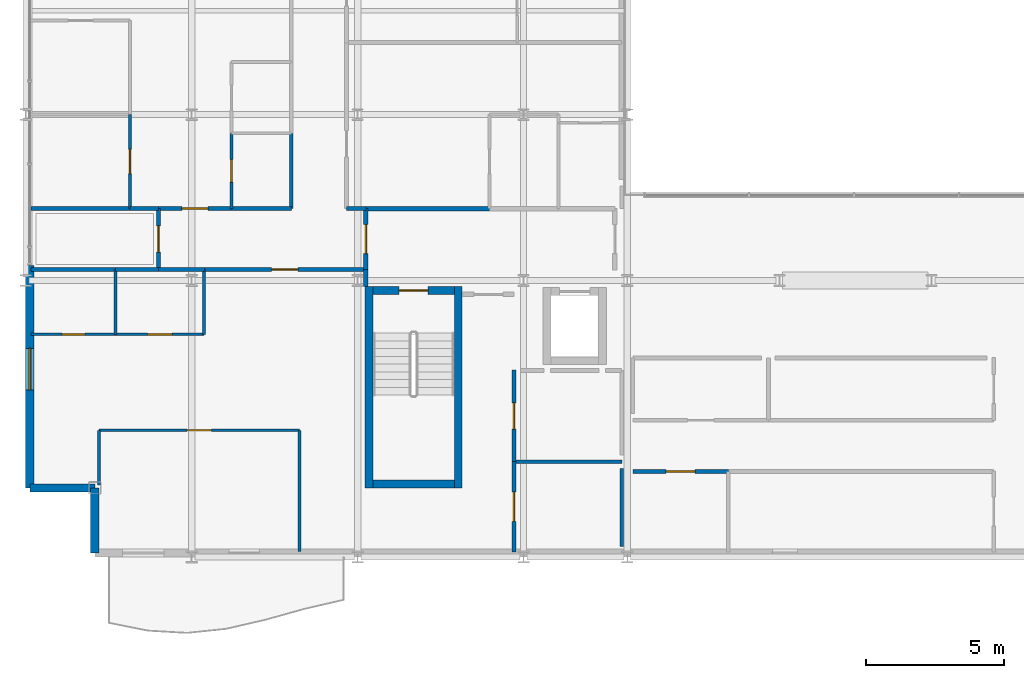
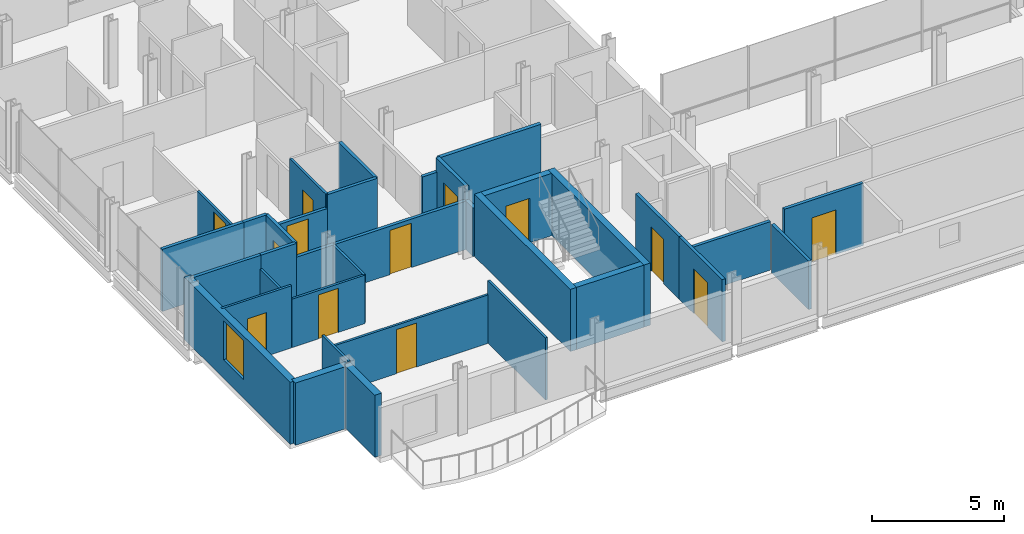
# One storey, part 31 of 40: 35 walls, 13 doors, 1 window, 14 openings.
"""IFC4 building model written with IfcOpenShell, lengths in metres."""

from ifc_helpers import new_model, si_unit, direction, frame, frame_2d, origin, place, context, subcontext, project, spatial, rectangle, extrude, material, layer, layer_set, type_object, element, fill, save


model = new_model("IFC4")

# Units and contexts
model_context = context("Model", 3, precision=1e-05, world=origin(), true_north=direction((0.0, 1.0)))
body_context = subcontext(model_context, "Body", "Model", "MODEL_VIEW")
ifc_project = project(units=[si_unit("LENGTHUNIT", "METRE"), si_unit("AREAUNIT", "SQUARE_METRE"), si_unit("VOLUMEUNIT", "CUBIC_METRE"), si_unit("PLANEANGLEUNIT", "RADIAN"), si_unit("MASSUNIT", "GRAM", prefix="KILO")], contexts=[model_context])

# Site, building, storey
site_placement = place(None, origin())
site = spatial("IfcSite", under=ifc_project, at=site_placement, CompositionType="ELEMENT")
building_placement = place(site_placement, origin())
building = spatial("IfcBuilding", under=site, at=building_placement, Name="Brevholm Reach", CompositionType="ELEMENT")
storey_placement = place(building_placement, frame((0.0, 0.0, 119.0)))
storey = spatial("IfcBuildingStorey", under=building, at=storey_placement, Name="L35", CompositionType="ELEMENT", Elevation=119.0)

# Walls
ifc_material_1 = material(Name="Concrete C50/60", Category="concrete")
ifc_layer_1 = layer(ifc_material_1, 0.280029296875)
ifc_layer_set_1 = layer_set([ifc_layer_1], Name="Concrete C50/60")
wall_type_1 = type_object("IfcWallType", Name="WAL-COR-280", PredefinedType="SHEAR", material=ifc_layer_set_1)
for number, where, z_axis, x_axis, name in (
    (1, (12.409912109375, 2.5, 0.0), (0.0, 0.0, 1.0), (0.0, 1.0, 0.0), "L35 Escape Stair ST-1 Core Wall W"),
    (2, (15.639892578125, 2.5, 0.0), (0.0, 0.0, 1.0), (0.0, 1.0, 0.0), "L35 Escape Stair ST-1 Core Wall E"),
):
    element("IfcWall", number, at=place(storey_placement, frame(where, z_axis=z_axis, x_axis=x_axis)), inside=storey, type_object=wall_type_1, Name=name, PredefinedType="SHEAR", context=body_context, shape_type="SweptSolid", body=[
        extrude(rectangle(XDim=7.280029296875, YDim=0.280029296875, at=frame_2d((3.64013671875, 0.0))), origin(), (0.0, 0.0, 1.0), 2.8798828125),
    ])
wall_1_placement = place(storey_placement, frame((12.550048828125, 2.639892578125, 0.0), z_axis=(0.0, 0.0, 1.0), x_axis=(1.0, 0.0, 0.0)))
element("IfcWall", 3, at=wall_1_placement, inside=storey, type_object=wall_type_1, Name="L35 Escape Stair ST-1 Core Wall S", PredefinedType="SHEAR", context=body_context, shape_type="SweptSolid", body=[
    extrude(rectangle(XDim=2.949951171875, YDim=0.280029296875, at=frame_2d((1.47509765625, 0.0))), origin(), (0.0, 0.0, 1.0), 2.8798828125),
])

# Wall, opening, door
wall_2_placement = place(storey_placement, frame((15.5, 9.639892578125, 0.0), z_axis=(0.0, 0.0, 1.0), x_axis=(-1.0, 0.0, 0.0)))
wall_2 = element("IfcWall", 4, at=wall_2_placement, inside=storey, type_object=wall_type_1, Name="L35 Escape Stair ST-1 Core Wall N", PredefinedType="SHEAR", context=body_context, shape_type="SweptSolid", body=[
    extrude(rectangle(XDim=2.949951171875, YDim=0.280029296875, at=frame_2d((1.47509765625, 0.0))), origin(), (0.0, 0.0, 1.0), 2.8798828125),
])
opening_1_placement = place(wall_2_placement, frame((0.949951171875, 0.0, 0.0)))
opening_1 = element("IfcOpeningElement", 5, at=opening_1_placement, cuts=wall_2, Name="Opening SD-ST-1", PredefinedType="OPENING", context=body_context, shape_type="SweptSolid", body=[
    extrude(rectangle(XDim=1.050048828125, YDim=2.06005859375, at=frame_2d((0.52490234375, 1.030029296875))), frame((0.0, 0.14990234375, 0.0), z_axis=(0.0, -1.0, 0.0), x_axis=(1.0, 0.0, 0.0)), (0.0, 0.0, 1.0), 0.300048828125),
])
ifc_material_2 = material(Name="Hardwood-Lipped Steel-Core Fire and Smoke Door", Category="steel")
door_type_1 = type_object("IfcDoorType", Name="DOR-INT-FD60S", OperationType="NOTDEFINED", PredefinedType="DOOR", material=ifc_material_2)
door_1_placement = place(opening_1_placement, origin())
door_1 = element("IfcDoor", 6, at=door_1_placement, inside=storey, type_object=door_type_1, Name="L35 Protected Stair ST-1 Lobby Door", OperationType="SINGLE_SWING_LEFT", OverallHeight=2.06005859375, OverallWidth=1.050048828125, PredefinedType="DOOR", context=body_context, shape_type="SweptSolid", body=[
    extrude(rectangle(XDim=1.050048828125, YDim=2.06005859375, at=frame_2d((0.52490234375, 1.030029296875))), frame((0.0, 0.02490234375, 0.0), z_axis=(0.0, -1.0, 0.0), x_axis=(1.0, 0.0, 0.0)), (0.0, 0.0, 1.0), 0.050048828125),
])
fill(opening_1, door_1)

# Walls
ifc_material_3 = material(Name="Concrete C40/50", Category="concrete")
ifc_layer_2 = layer(ifc_material_3, 0.300048828125)
ifc_layer_set_2 = layer_set([ifc_layer_2], Name="Concrete C40/50")
wall_type_2 = type_object("IfcWallType", Name="WAL-EXT-300", PredefinedType="STANDARD", material=ifc_layer_set_2)
for number, where, z_axis, x_axis, name in (
    (7, (2.5, 2.5, 0.0), (0.0, 0.0, 1.0), (0.0, -1.0, 0.0), "L35 Facade Wall WAL-L35-CSW1"),
    (8, (0.14990234375, 2.5, 0.0), (0.0, 0.0, 1.0), (1.0, 0.0, 0.0), "L35 Facade Wall WAL-L35-CSW2"),
):
    element("IfcWall", number, at=place(storey_placement, frame(where, z_axis=z_axis, x_axis=x_axis)), inside=storey, type_object=wall_type_2, Name=name, PredefinedType="STANDARD", context=body_context, shape_type="SweptSolid", body=[
        extrude(rectangle(XDim=2.35009765625, YDim=0.300048828125, at=frame_2d((1.175048828125, 0.0))), origin(), (0.0, 0.0, 1.0), 2.8798828125),
    ])

# Wall, opening, window
wall_3_placement = place(storey_placement, frame((0.14990234375, 10.550048828125, 0.0), z_axis=(0.0, 0.0, 1.0), x_axis=(0.0, -1.0, 0.0)))
wall_3 = element("IfcWall", 9, at=wall_3_placement, inside=storey, type_object=wall_type_2, Name="L35 Facade Wall WAL-L35-W-S", PredefinedType="STANDARD", context=body_context, shape_type="SweptSolid", body=[
    extrude(rectangle(XDim=8.050048828125, YDim=0.300048828125, at=frame_2d((4.02490234375, 0.0))), origin(), (0.0, 0.0, 1.0), 2.8798828125),
])
opening_2_placement = place(wall_3_placement, frame((3.0, 0.0, 0.860107421875)))
opening_2 = element("IfcOpeningElement", 10, at=opening_2_placement, cuts=wall_3, Name="Opening WN-05", PredefinedType="OPENING", context=body_context, shape_type="SweptSolid", body=[
    extrude(rectangle(XDim=1.5, YDim=1.800048828125, at=frame_2d((0.75, 0.89990234375))), frame((0.0, 0.159912109375, 0.0), z_axis=(0.0, -1.0, 0.0), x_axis=(1.0, 0.0, 0.0)), (0.0, 0.0, 1.0), 0.320068359375),
])
ifc_material_4 = material(Name="Dark Anodised Aluminium and Solar-Control IGU Glass", Category="aluminium")
window_type = type_object("IfcWindowType", Name="WIN-RES-1500", PartitioningType="SINGLE_PANEL", PredefinedType="WINDOW", material=ifc_material_4)
window_placement = place(opening_2_placement, origin())
window = element("IfcWindow", 11, at=window_placement, inside=storey, type_object=window_type, Name="L35 Window WIN-L35-WS-1", OverallHeight=1.800048828125, OverallWidth=1.5, PartitioningType="SINGLE_PANEL", PredefinedType="WINDOW", context=body_context, shape_type="SweptSolid", body=[
    extrude(rectangle(XDim=1.5, YDim=1.800048828125, at=frame_2d((0.75, 0.89990234375))), frame((0.0, 0.030029296875, 0.0), z_axis=(0.0, -1.0, 0.0), x_axis=(1.0, 0.0, 0.0)), (0.0, 0.0, 1.0), 0.06005859375),
])
fill(opening_2, window)

# Wall
ifc_material_5 = material(Name="Moisture-Resistant Acoustic Gypsum Stud Partition 100 mm", Category="gypsum")
ifc_layer_3 = layer(ifc_material_5, 0.10009765625)
ifc_layer_set_3 = layer_set([ifc_layer_3], Name="Moisture-Resistant Acoustic Gypsum Stud Partition 100 mm")
wall_type_3 = type_object("IfcWallType", Name="WAL-PRT-100", PredefinedType="PARTITIONING", material=ifc_layer_set_3)
wall_4_placement = place(storey_placement, frame((3.25, 8.053955078125, 0.0), z_axis=(0.0, 0.0, 1.0), x_axis=(0.0, 1.0, 0.0)))
element("IfcWall", 12, at=wall_4_placement, inside=storey, type_object=wall_type_3, Name="L35 Internal Partition 065", PredefinedType="PARTITIONING", context=body_context, shape_type="SweptSolid", body=[
    extrude(rectangle(XDim=2.345947265625, YDim=0.10009765625, at=frame_2d((1.1728515625, 0.0))), origin(), (0.0, 0.0, 1.0), 2.242919921875),
])

# Wall, opening, door
wall_5_placement = place(storey_placement, frame((0.199951171875, 8.053955078125, 0.0), z_axis=(0.0, 0.0, 1.0), x_axis=(1.0, 0.0, 0.0)))
wall_5 = element("IfcWall", 13, at=wall_5_placement, inside=storey, type_object=wall_type_3, Name="L35 Internal Partition 066", PredefinedType="PARTITIONING", context=body_context, shape_type="SweptSolid", body=[
    extrude(rectangle(XDim=3.050048828125, YDim=0.10009765625, at=frame_2d((1.52490234375, 0.0))), origin(), (0.0, 0.0, 1.0), 2.8798828125),
])
opening_3_placement = place(wall_5_placement, frame((1.114990234375, 0.0, 0.0)))
opening_3 = element("IfcOpeningElement", 14, at=opening_3_placement, cuts=wall_5, Name="Opening ID-03", PredefinedType="OPENING", context=body_context, shape_type="SweptSolid", body=[
    extrude(rectangle(XDim=0.820068359375, YDim=2.02001953125, at=frame_2d((0.41015625, 1.010009765625))), frame((0.0, 0.06005859375, 0.0), z_axis=(0.0, -1.0, 0.0), x_axis=(1.0, 0.0, 0.0)), (0.0, 0.0, 1.0), 0.1201171875),
])
ifc_material_6 = material(Name="Moisture-Resistant Painted Timber Internal Bathroom Door", Category="wood")
door_type_2 = type_object("IfcDoorType", Name="DOR-BATH-820", OperationType="NOTDEFINED", PredefinedType="DOOR", material=ifc_material_6)
door_2_placement = place(opening_3_placement, origin())
door_2 = element("IfcDoor", 15, at=door_2_placement, inside=storey, type_object=door_type_2, Name="L35 Internal Door 026", OperationType="SINGLE_SWING_RIGHT", OverallHeight=2.02001953125, OverallWidth=0.820068359375, PredefinedType="DOOR", context=body_context, shape_type="SweptSolid", body=[
    extrude(rectangle(XDim=0.820068359375, YDim=2.02001953125, at=frame_2d((0.41015625, 1.010009765625))), frame((0.0, 0.02490234375, 0.0), z_axis=(0.0, -1.0, 0.0), x_axis=(1.0, 0.0, 0.0)), (0.0, 0.0, 1.0), 0.050048828125),
])
fill(opening_3, door_2)

wall_6_placement = place(storey_placement, frame((3.25390625, 8.053955078125, 0.0), z_axis=(0.0, 0.0, 1.0), x_axis=(1.0, 0.0, 0.0)))
wall_6 = element("IfcWall", 16, at=wall_6_placement, inside=storey, type_object=wall_type_3, Name="L35 Internal Partition 068", PredefinedType="PARTITIONING", context=body_context, shape_type="SweptSolid", body=[
    extrude(rectangle(XDim=3.196044921875, YDim=0.10009765625, at=frame_2d((1.59814453125, 0.0))), origin(), (0.0, 0.0, 1.0), 2.242919921875),
])
opening_4_placement = place(wall_6_placement, frame((1.157958984375, 0.0, 0.0)))
opening_4 = element("IfcOpeningElement", 17, at=opening_4_placement, cuts=wall_6, Name="Opening ID-01", PredefinedType="OPENING", context=body_context, shape_type="SweptSolid", body=[
    extrude(rectangle(XDim=0.8798828125, YDim=2.0400390625, at=frame_2d((0.43994140625, 1.02001953125))), frame((0.0, 0.06005859375, 0.0), z_axis=(0.0, -1.0, 0.0), x_axis=(1.0, 0.0, 0.0)), (0.0, 0.0, 1.0), 0.1201171875),
])
ifc_material_7 = material(Name="Lacquered Ash Solid-Core Acoustic Internal Door", Category="timber")
door_type_3 = type_object("IfcDoorType", Name="DOR-INT-880", OperationType="NOTDEFINED", PredefinedType="DOOR", material=ifc_material_7)
door_3_placement = place(opening_4_placement, origin())
door_3 = element("IfcDoor", 18, at=door_3_placement, inside=storey, type_object=door_type_3, Name="L35 Internal Door 027", OperationType="SINGLE_SWING_LEFT", OverallHeight=2.0400390625, OverallWidth=0.8798828125, PredefinedType="DOOR", context=body_context, shape_type="SweptSolid", body=[
    extrude(rectangle(XDim=0.8798828125, YDim=2.0400390625, at=frame_2d((0.43994140625, 1.02001953125))), frame((0.0, 0.02490234375, 0.0), z_axis=(0.0, -1.0, 0.0), x_axis=(1.0, 0.0, 0.0)), (0.0, 0.0, 1.0), 0.050048828125),
])
fill(opening_4, door_3)

# Walls
wall_7_placement = place(storey_placement, frame((6.449951171875, 8.053955078125, 0.0), z_axis=(0.0, 0.0, 1.0), x_axis=(0.0, 1.0, 0.0)))
element("IfcWall", 19, at=wall_7_placement, inside=storey, type_object=wall_type_3, Name="L35 Internal Partition 069", PredefinedType="PARTITIONING", context=body_context, shape_type="SweptSolid", body=[
    extrude(rectangle(XDim=2.342041015625, YDim=0.10009765625, at=frame_2d((1.1708984375, 0.0))), origin(), (0.0, 0.0, 1.0), 2.242919921875),
])
wall_8_placement = place(storey_placement, frame((2.64990234375, 2.599365234375, 0.0), z_axis=(0.0, 0.0, 1.0), x_axis=(0.0, 1.0, 0.0)))
element("IfcWall", 20, at=wall_8_placement, inside=storey, type_object=wall_type_3, Name="L35 Internal Partition 071", PredefinedType="PARTITIONING", context=body_context, shape_type="SweptSolid", body=[
    extrude(rectangle(XDim=1.986572265625, YDim=0.10009765625, at=frame_2d((0.9931640625, 0.0))), origin(), (0.0, 0.0, 1.0), 2.8798828125),
])
wall_9_placement = place(storey_placement, frame((9.89990234375, 0.199951171875, 0.0), z_axis=(0.0, 0.0, 1.0), x_axis=(0.0, 1.0, 0.0)))
element("IfcWall", 21, at=wall_9_placement, inside=storey, type_object=wall_type_3, Name="L35 Internal Partition 072", PredefinedType="PARTITIONING", context=body_context, shape_type="SweptSolid", body=[
    extrude(rectangle(XDim=4.385986328125, YDim=0.10009765625, at=frame_2d((2.19287109375, 0.0))), origin(), (0.0, 0.0, 1.0), 2.8798828125),
])

# Wall, opening, door
wall_10_placement = place(storey_placement, frame((2.64990234375, 4.5859375, 0.0), z_axis=(0.0, 0.0, 1.0), x_axis=(1.0, 0.0, 0.0)))
wall_10 = element("IfcWall", 22, at=wall_10_placement, inside=storey, type_object=wall_type_3, Name="L35 Internal Partition 073", PredefinedType="PARTITIONING", context=body_context, shape_type="SweptSolid", body=[
    extrude(rectangle(XDim=7.25, YDim=0.10009765625, at=frame_2d((3.625, 0.0))), origin(), (0.0, 0.0, 1.0), 2.242919921875),
])
opening_5_placement = place(wall_10_placement, frame((3.18505859375, 0.0, 0.0)))
opening_5 = element("IfcOpeningElement", 23, at=opening_5_placement, cuts=wall_10, Name="Opening ID-01", PredefinedType="OPENING", context=body_context, shape_type="SweptSolid", body=[
    extrude(rectangle(XDim=0.8798828125, YDim=2.0400390625, at=frame_2d((0.43994140625, 1.02001953125))), frame((0.0, 0.06005859375, 0.0), z_axis=(0.0, -1.0, 0.0), x_axis=(1.0, 0.0, 0.0)), (0.0, 0.0, 1.0), 0.1201171875),
])
door_4_placement = place(opening_5_placement, origin())
door_4 = element("IfcDoor", 24, at=door_4_placement, inside=storey, type_object=door_type_3, Name="L35 Internal Door 028", OperationType="SINGLE_SWING_RIGHT", OverallHeight=2.0400390625, OverallWidth=0.8798828125, PredefinedType="DOOR", context=body_context, shape_type="SweptSolid", body=[
    extrude(rectangle(XDim=0.8798828125, YDim=2.0400390625, at=frame_2d((0.43994140625, 1.02001953125))), frame((0.0, 0.02490234375, 0.0), z_axis=(0.0, -1.0, 0.0), x_axis=(1.0, 0.0, 0.0)), (0.0, 0.0, 1.0), 0.050048828125),
])
fill(opening_5, door_4)

wall_11_placement = place(storey_placement, frame((7.43798828125, 12.60400390625, 0.0), z_axis=(0.0, 0.0, 1.0), x_axis=(0.0, 1.0, 0.0)))
wall_11 = element("IfcWall", 25, at=wall_11_placement, inside=storey, type_object=wall_type_3, Name="L35 Internal Partition 089", PredefinedType="PARTITIONING", context=body_context, shape_type="SweptSolid", body=[
    extrude(rectangle(XDim=2.719970703125, YDim=0.10009765625, at=frame_2d((1.35986328125, 0.0))), origin(), (0.0, 0.0, 1.0), 2.8798828125),
])
opening_6_placement = place(wall_11_placement, frame((0.949951171875, 0.0, 0.0)))
opening_6 = element("IfcOpeningElement", 26, at=opening_6_placement, cuts=wall_11, Name="Opening ID-03", PredefinedType="OPENING", context=body_context, shape_type="SweptSolid", body=[
    extrude(rectangle(XDim=0.820068359375, YDim=2.02001953125, at=frame_2d((0.41015625, 1.010009765625))), frame((0.0, 0.06005859375, 0.0), z_axis=(0.0, -1.0, 0.0), x_axis=(1.0, 0.0, 0.0)), (0.0, 0.0, 1.0), 0.1201171875),
])
door_5_placement = place(opening_6_placement, origin())
door_5 = element("IfcDoor", 27, at=door_5_placement, inside=storey, type_object=door_type_2, Name="L35 Internal Door 033", OperationType="SINGLE_SWING_LEFT", OverallHeight=2.02001953125, OverallWidth=0.820068359375, PredefinedType="DOOR", context=body_context, shape_type="SweptSolid", body=[
    extrude(rectangle(XDim=0.820068359375, YDim=2.02001953125, at=frame_2d((0.41015625, 1.010009765625))), frame((0.0, 0.02490234375, 0.0), z_axis=(0.0, -1.0, 0.0), x_axis=(1.0, 0.0, 0.0)), (0.0, 0.0, 1.0), 0.050048828125),
])
fill(opening_6, door_5)

wall_12_placement = place(storey_placement, frame((3.77197265625, 12.60400390625, 0.0), z_axis=(0.0, 0.0, 1.0), x_axis=(0.0, 1.0, 0.0)))
wall_12 = element("IfcWall", 28, at=wall_12_placement, inside=storey, type_object=wall_type_3, Name="L35 Internal Partition 093", PredefinedType="PARTITIONING", context=body_context, shape_type="SweptSolid", body=[
    extrude(rectangle(XDim=3.39599609375, YDim=0.10009765625, at=frame_2d((1.697998046875, 0.0))), origin(), (0.0, 0.0, 1.0), 2.242919921875),
])
opening_7_placement = place(wall_12_placement, frame((1.258056640625, 0.0, 0.0)))
opening_7 = element("IfcOpeningElement", 29, at=opening_7_placement, cuts=wall_12, Name="Opening ID-01", PredefinedType="OPENING", context=body_context, shape_type="SweptSolid", body=[
    extrude(rectangle(XDim=0.8798828125, YDim=2.0400390625, at=frame_2d((0.43994140625, 1.02001953125))), frame((0.0, 0.06005859375, 0.0), z_axis=(0.0, -1.0, 0.0), x_axis=(1.0, 0.0, 0.0)), (0.0, 0.0, 1.0), 0.1201171875),
])
door_6_placement = place(opening_7_placement, origin())
door_6 = element("IfcDoor", 30, at=door_6_placement, inside=storey, type_object=door_type_3, Name="L35 Internal Door 035", OperationType="SINGLE_SWING_LEFT", OverallHeight=2.0400390625, OverallWidth=0.8798828125, PredefinedType="DOOR", context=body_context, shape_type="SweptSolid", body=[
    extrude(rectangle(XDim=0.8798828125, YDim=2.0400390625, at=frame_2d((0.43994140625, 1.02001953125))), frame((0.0, 0.02490234375, 0.0), z_axis=(0.0, -1.0, 0.0), x_axis=(1.0, 0.0, 0.0)), (0.0, 0.0, 1.0), 0.050048828125),
])
fill(opening_7, door_6)

ifc_material_8 = material(Name="Twin-Stud Acoustic Fire-Rated Gypsum Partition 140 mm", Category="gypsum")
ifc_layer_4 = layer(ifc_material_8, 0.139892578125)
ifc_layer_set_4 = layer_set([ifc_layer_4], Name="Twin-Stud Acoustic Fire-Rated Gypsum Partition 140 mm")
wall_type_4 = type_object("IfcWallType", Name="WAL-PRT-140", PredefinedType="PARTITIONING", material=ifc_layer_set_4)
wall_13_placement = place(storey_placement, frame((21.949951171875, 3.10009765625, 0.0), z_axis=(0.0, 0.0, 1.0), x_axis=(1.0, 0.0, 0.0)))
wall_13 = element("IfcWall", 31, at=wall_13_placement, inside=storey, type_object=wall_type_4, Name="L35 Internal Partition 003", PredefinedType="PARTITIONING", context=body_context, shape_type="SweptSolid", body=[
    extrude(rectangle(XDim=3.46142578125, YDim=0.139892578125, at=frame_2d((1.730712890625, 0.0))), origin(), (0.0, 0.0, 1.0), 2.8798828125),
])
opening_8_placement = place(wall_13_placement, frame((1.205810546875, 0.0, 0.0)))
opening_8 = element("IfcOpeningElement", 32, at=opening_8_placement, cuts=wall_13, Name="Opening FD-01", PredefinedType="OPENING", context=body_context, shape_type="SweptSolid", body=[
    extrude(rectangle(XDim=1.050048828125, YDim=2.06005859375, at=frame_2d((0.52490234375, 1.030029296875))), frame((0.0, 0.079833984375, 0.0), z_axis=(0.0, -1.0, 0.0), x_axis=(1.0, 0.0, 0.0)), (0.0, 0.0, 1.0), 0.159912109375),
])
door_7_placement = place(opening_8_placement, origin())
door_7 = element("IfcDoor", 33, at=door_7_placement, inside=storey, type_object=door_type_1, Name="L35 Internal Door 003", OperationType="SINGLE_SWING_LEFT", OverallHeight=2.06005859375, OverallWidth=1.050048828125, PredefinedType="DOOR", context=body_context, shape_type="SweptSolid", body=[
    extrude(rectangle(XDim=1.050048828125, YDim=2.06005859375, at=frame_2d((0.52490234375, 1.030029296875))), frame((0.0, 0.02490234375, 0.0), z_axis=(0.0, -1.0, 0.0), x_axis=(1.0, 0.0, 0.0)), (0.0, 0.0, 1.0), 0.050048828125),
])
fill(opening_8, door_7)

wall_14_placement = place(storey_placement, frame((17.64990234375, 0.179931640625, 0.0), z_axis=(0.0, 0.0, 1.0), x_axis=(0.0, 1.0, 0.0)))
wall_14 = element("IfcWall", 34, at=wall_14_placement, inside=storey, type_object=wall_type_4, Name="L35 Internal Partition 009", PredefinedType="PARTITIONING", context=body_context, shape_type="SweptSolid", body=[
    extrude(rectangle(XDim=3.28125, YDim=0.139892578125, at=frame_2d((1.640625, 0.0))), origin(), (0.0, 0.0, 1.0), 2.8798828125),
])
opening_9_placement = place(wall_14_placement, frame((1.11572265625, 0.0, 0.0)))
opening_9 = element("IfcOpeningElement", 35, at=opening_9_placement, cuts=wall_14, Name="Opening FD-01", PredefinedType="OPENING", context=body_context, shape_type="SweptSolid", body=[
    extrude(rectangle(XDim=1.050048828125, YDim=2.06005859375, at=frame_2d((0.52490234375, 1.030029296875))), frame((0.0, 0.079833984375, 0.0), z_axis=(0.0, -1.0, 0.0), x_axis=(1.0, 0.0, 0.0)), (0.0, 0.0, 1.0), 0.159912109375),
])
door_8_placement = place(opening_9_placement, origin())
door_8 = element("IfcDoor", 36, at=door_8_placement, inside=storey, type_object=door_type_1, Name="L35 Internal Door 005", OperationType="SINGLE_SWING_LEFT", OverallHeight=2.06005859375, OverallWidth=1.050048828125, PredefinedType="DOOR", context=body_context, shape_type="SweptSolid", body=[
    extrude(rectangle(XDim=1.050048828125, YDim=2.06005859375, at=frame_2d((0.52490234375, 1.030029296875))), frame((0.0, 0.02490234375, 0.0), z_axis=(0.0, -1.0, 0.0), x_axis=(1.0, 0.0, 0.0)), (0.0, 0.0, 1.0), 0.050048828125),
])
fill(opening_9, door_8)

wall_15_placement = place(storey_placement, frame((17.64990234375, 3.442626953125, 0.0), z_axis=(0.0, 0.0, 1.0), x_axis=(0.0, 1.0, 0.0)))
wall_15 = element("IfcWall", 37, at=wall_15_placement, inside=storey, type_object=wall_type_4, Name="L35 Internal Partition 010", PredefinedType="PARTITIONING", context=body_context, shape_type="SweptSolid", body=[
    extrude(rectangle(XDim=3.318603515625, YDim=0.139892578125, at=frame_2d((1.6591796875, 0.0))), origin(), (0.0, 0.0, 1.0), 2.8798828125),
])
opening_10_placement = place(wall_15_placement, frame((1.184326171875, 0.0, 0.0)))
opening_10 = element("IfcOpeningElement", 38, at=opening_10_placement, cuts=wall_15, Name="Opening ID-30", PredefinedType="OPENING", context=body_context, shape_type="SweptSolid", body=[
    extrude(rectangle(XDim=0.949951171875, YDim=2.050048828125, at=frame_2d((0.47509765625, 1.02490234375))), frame((0.0, 0.079833984375, 0.0), z_axis=(0.0, -1.0, 0.0), x_axis=(1.0, 0.0, 0.0)), (0.0, 0.0, 1.0), 0.159912109375),
])
ifc_material_9 = material(Name="European Oak Veneered Solid-Core Fire Entrance Door", Category="timber")
door_type_4 = type_object("IfcDoorType", Name="DOR-FLT-FD30S", OperationType="NOTDEFINED", PredefinedType="DOOR", material=ifc_material_9)
door_9_placement = place(opening_10_placement, origin())
door_9 = element("IfcDoor", 39, at=door_9_placement, inside=storey, type_object=door_type_4, Name="L35 Internal Door 006", OperationType="SINGLE_SWING_RIGHT", OverallHeight=2.050048828125, OverallWidth=0.949951171875, PredefinedType="DOOR", context=body_context, shape_type="SweptSolid", body=[
    extrude(rectangle(XDim=0.949951171875, YDim=2.050048828125, at=frame_2d((0.47509765625, 1.02490234375))), frame((0.0, 0.02490234375, 0.0), z_axis=(0.0, -1.0, 0.0), x_axis=(1.0, 0.0, 0.0)), (0.0, 0.0, 1.0), 0.050048828125),
])
fill(opening_10, door_9)

# Walls
wall_16_placement = place(storey_placement, frame((17.654052734375, 3.449951171875, 0.0), z_axis=(0.0, 0.0, 1.0), x_axis=(1.0, 0.0, 0.0)))
element("IfcWall", 40, at=wall_16_placement, inside=storey, type_object=wall_type_4, Name="L35 Internal Partition 012", PredefinedType="PARTITIONING", context=body_context, shape_type="SweptSolid", body=[
    extrude(rectangle(XDim=3.89599609375, YDim=0.139892578125, at=frame_2d((1.947998046875, 0.0))), origin(), (0.0, 0.0, 1.0), 2.242919921875),
])
wall_17_placement = place(storey_placement, frame((4.800048828125, 10.39990234375, 0.0), z_axis=(0.0, 0.0, 1.0), x_axis=(1.0, 0.0, 0.0)))
element("IfcWall", 41, at=wall_17_placement, inside=storey, type_object=wall_type_4, Name="L35 Internal Partition 027", PredefinedType="PARTITIONING", context=body_context, shape_type="SweptSolid", body=[
    extrude(rectangle(XDim=1.6611328125, YDim=0.139892578125, at=frame_2d((0.83056640625, 0.0))), origin(), (0.0, 0.0, 1.0), 2.242919921875),
])

# Wall, opening, door
wall_18_placement = place(storey_placement, frame((6.442626953125, 10.39990234375, 0.0), z_axis=(0.0, 0.0, 1.0), x_axis=(1.0, 0.0, 0.0)))
wall_18 = element("IfcWall", 42, at=wall_18_placement, inside=storey, type_object=wall_type_4, Name="L35 Internal Partition 028", PredefinedType="PARTITIONING", context=body_context, shape_type="SweptSolid", body=[
    extrude(rectangle(XDim=5.853271484375, YDim=0.139892578125, at=frame_2d((2.9267578125, 0.0))), origin(), (0.0, 0.0, 1.0), 2.242919921875),
])
opening_11_placement = place(wall_18_placement, frame((2.45166015625, 0.0, 0.0)))
opening_11 = element("IfcOpeningElement", 43, at=opening_11_placement, cuts=wall_18, Name="Opening ID-30", PredefinedType="OPENING", context=body_context, shape_type="SweptSolid", body=[
    extrude(rectangle(XDim=0.949951171875, YDim=2.050048828125, at=frame_2d((0.47509765625, 1.02490234375))), frame((0.0, 0.079833984375, 0.0), z_axis=(0.0, -1.0, 0.0), x_axis=(1.0, 0.0, 0.0)), (0.0, 0.0, 1.0), 0.159912109375),
])
door_10_placement = place(opening_11_placement, origin())
door_10 = element("IfcDoor", 44, at=door_10_placement, inside=storey, type_object=door_type_4, Name="L35 Internal Door 015", OperationType="SINGLE_SWING_LEFT", OverallHeight=2.050048828125, OverallWidth=0.949951171875, PredefinedType="DOOR", context=body_context, shape_type="SweptSolid", body=[
    extrude(rectangle(XDim=0.949951171875, YDim=2.050048828125, at=frame_2d((0.47509765625, 1.02490234375))), frame((0.0, 0.02490234375, 0.0), z_axis=(0.0, -1.0, 0.0), x_axis=(1.0, 0.0, 0.0)), (0.0, 0.0, 1.0), 0.050048828125),
])
fill(opening_11, door_10)

wall_19_placement = place(storey_placement, frame((4.800048828125, 10.39990234375, 0.0), z_axis=(0.0, 0.0, 1.0), x_axis=(0.0, 1.0, 0.0)))
wall_19 = element("IfcWall", 45, at=wall_19_placement, inside=storey, type_object=wall_type_4, Name="L35 Internal Partition 029", PredefinedType="PARTITIONING", context=body_context, shape_type="SweptSolid", body=[
    extrude(rectangle(XDim=2.2001953125, YDim=0.139892578125, at=frame_2d((1.10009765625, 0.0))), origin(), (0.0, 0.0, 1.0), 2.8798828125),
])
opening_12_placement = place(wall_19_placement, frame((0.625, 0.0, 0.0)))
opening_12 = element("IfcOpeningElement", 46, at=opening_12_placement, cuts=wall_19, Name="Opening ID-30", PredefinedType="OPENING", context=body_context, shape_type="SweptSolid", body=[
    extrude(rectangle(XDim=0.949951171875, YDim=2.050048828125, at=frame_2d((0.47509765625, 1.02490234375))), frame((0.0, 0.079833984375, 0.0), z_axis=(0.0, -1.0, 0.0), x_axis=(1.0, 0.0, 0.0)), (0.0, 0.0, 1.0), 0.159912109375),
])
door_11_placement = place(opening_12_placement, origin())
door_11 = element("IfcDoor", 47, at=door_11_placement, inside=storey, type_object=door_type_4, Name="L35 Internal Door 016", OperationType="SINGLE_SWING_RIGHT", OverallHeight=2.050048828125, OverallWidth=0.949951171875, PredefinedType="DOOR", context=body_context, shape_type="SweptSolid", body=[
    extrude(rectangle(XDim=0.949951171875, YDim=2.050048828125, at=frame_2d((0.47509765625, 1.02490234375))), frame((0.0, 0.02490234375, 0.0), z_axis=(0.0, -1.0, 0.0), x_axis=(1.0, 0.0, 0.0)), (0.0, 0.0, 1.0), 0.050048828125),
])
fill(opening_12, door_11)

# Wall
wall_20_placement = place(storey_placement, frame((7.4267578125, 12.60009765625, 0.0), z_axis=(0.0, 0.0, 1.0), x_axis=(1.0, 0.0, 0.0)))
element("IfcWall", 48, at=wall_20_placement, inside=storey, type_object=wall_type_4, Name="L35 Internal Partition 030", PredefinedType="PARTITIONING", context=body_context, shape_type="SweptSolid", body=[
    extrude(rectangle(XDim=2.1806640625, YDim=0.139892578125, at=frame_2d((1.09033203125, 0.0))), origin(), (0.0, 0.0, 1.0), 2.8798828125),
])

# Wall, opening, door
wall_21_placement = place(storey_placement, frame((4.800048828125, 12.60009765625, 0.0), z_axis=(0.0, 0.0, 1.0), x_axis=(1.0, 0.0, 0.0)))
wall_21 = element("IfcWall", 49, at=wall_21_placement, inside=storey, type_object=wall_type_4, Name="L35 Internal Partition 031", PredefinedType="PARTITIONING", context=body_context, shape_type="SweptSolid", body=[
    extrude(rectangle(XDim=2.645263671875, YDim=0.139892578125, at=frame_2d((1.32275390625, 0.0))), origin(), (0.0, 0.0, 1.0), 2.242919921875),
])
opening_13_placement = place(wall_21_placement, frame((0.84765625, 0.0, 0.0)))
opening_13 = element("IfcOpeningElement", 50, at=opening_13_placement, cuts=wall_21, Name="Opening ID-30", PredefinedType="OPENING", context=body_context, shape_type="SweptSolid", body=[
    extrude(rectangle(XDim=0.949951171875, YDim=2.050048828125, at=frame_2d((0.47509765625, 1.02490234375))), frame((0.0, 0.079833984375, 0.0), z_axis=(0.0, -1.0, 0.0), x_axis=(1.0, 0.0, 0.0)), (0.0, 0.0, 1.0), 0.159912109375),
])
door_12_placement = place(opening_13_placement, origin())
door_12 = element("IfcDoor", 51, at=door_12_placement, inside=storey, type_object=door_type_4, Name="L35 Internal Door 017", OperationType="SINGLE_SWING_LEFT", OverallHeight=2.050048828125, OverallWidth=0.949951171875, PredefinedType="DOOR", context=body_context, shape_type="SweptSolid", body=[
    extrude(rectangle(XDim=0.949951171875, YDim=2.050048828125, at=frame_2d((0.47509765625, 1.02490234375))), frame((0.0, 0.02490234375, 0.0), z_axis=(0.0, -1.0, 0.0), x_axis=(1.0, 0.0, 0.0)), (0.0, 0.0, 1.0), 0.050048828125),
])
fill(opening_13, door_12)

# Walls
wall_22_placement = place(storey_placement, frame((11.5927734375, 12.60009765625, 0.0), z_axis=(0.0, 0.0, 1.0), x_axis=(1.0, 0.0, 0.0)))
element("IfcWall", 52, at=wall_22_placement, inside=storey, type_object=wall_type_4, Name="L35 Internal Partition 032", PredefinedType="PARTITIONING", context=body_context, shape_type="SweptSolid", body=[
    extrude(rectangle(XDim=0.703125, YDim=0.139892578125, at=frame_2d((0.3515625, 0.0))), origin(), (0.0, 0.0, 1.0), 2.242919921875),
])
wall_23_placement = place(storey_placement, frame((9.60009765625, 12.60400390625, 0.0), z_axis=(0.0, 0.0, 1.0), x_axis=(0.0, 1.0, 0.0)))
element("IfcWall", 53, at=wall_23_placement, inside=storey, type_object=wall_type_4, Name="L35 Internal Partition 036", PredefinedType="PARTITIONING", context=body_context, shape_type="SweptSolid", body=[
    extrude(rectangle(XDim=2.731201171875, YDim=0.139892578125, at=frame_2d((1.36572265625, 0.0))), origin(), (0.0, 0.0, 1.0), 2.8798828125),
])
wall_24_placement = place(storey_placement, frame((0.199951171875, 10.39990234375, 0.0), z_axis=(0.0, 0.0, 1.0), x_axis=(1.0, 0.0, 0.0)))
element("IfcWall", 54, at=wall_24_placement, inside=storey, type_object=wall_type_4, Name="L35 Internal Partition 067", PredefinedType="PARTITIONING", context=body_context, shape_type="SweptSolid", body=[
    extrude(rectangle(XDim=3.050048828125, YDim=0.139892578125, at=frame_2d((1.52490234375, 0.0))), origin(), (0.0, 0.0, 1.0), 2.8798828125),
])
wall_25_placement = place(storey_placement, frame((3.25390625, 10.39990234375, 0.0), z_axis=(0.0, 0.0, 1.0), x_axis=(1.0, 0.0, 0.0)))
element("IfcWall", 55, at=wall_25_placement, inside=storey, type_object=wall_type_4, Name="L35 Internal Partition 070", PredefinedType="PARTITIONING", context=body_context, shape_type="SweptSolid", body=[
    extrude(rectangle(XDim=1.5419921875, YDim=0.139892578125, at=frame_2d((0.77099609375, 0.0))), origin(), (0.0, 0.0, 1.0), 2.8798828125),
])
wall_26_placement = place(storey_placement, frame((0.199951171875, 12.60009765625, 0.0), z_axis=(0.0, 0.0, 1.0), x_axis=(1.0, 0.0, 0.0)))
element("IfcWall", 56, at=wall_26_placement, inside=storey, type_object=wall_type_4, Name="L35 Internal Partition 074", PredefinedType="PARTITIONING", context=body_context, shape_type="SweptSolid", body=[
    extrude(rectangle(XDim=3.583251953125, YDim=0.139892578125, at=frame_2d((1.79150390625, 0.0))), origin(), (0.0, 0.0, 1.0), 2.8798828125),
])
wall_27_placement = place(storey_placement, frame((3.7646484375, 12.60009765625, 0.0), z_axis=(0.0, 0.0, 1.0), x_axis=(1.0, 0.0, 0.0)))
element("IfcWall", 57, at=wall_27_placement, inside=storey, type_object=wall_type_4, Name="L35 Internal Partition 075", PredefinedType="PARTITIONING", context=body_context, shape_type="SweptSolid", body=[
    extrude(rectangle(XDim=1.03125, YDim=0.139892578125, at=frame_2d((0.515625, 0.0))), origin(), (0.0, 0.0, 1.0), 2.8798828125),
])
wall_28_placement = place(storey_placement, frame((21.550048828125, 0.389892578125, 0.0), z_axis=(0.0, 0.0, 1.0), x_axis=(0.0, 1.0, 0.0)))
element("IfcWall", 58, at=wall_28_placement, inside=storey, type_object=wall_type_4, Name="L35 Internal Partition 164", PredefinedType="PARTITIONING", context=body_context, shape_type="SweptSolid", body=[
    extrude(rectangle(XDim=2.820068359375, YDim=0.139892578125, at=frame_2d((1.41015625, 0.0))), origin(), (0.0, 0.0, 1.0), 2.242919921875),
])

# Wall, opening, door
ifc_material_10 = material(Name="Twin-Frame Fire-Rated Gypsum Board and Mineral Wool 160 mm", Category="gypsum")
ifc_layer_5 = layer(ifc_material_10, 0.159912109375)
ifc_layer_set_5 = layer_set([ifc_layer_5], Name="Twin-Frame Fire-Rated Gypsum Board and Mineral Wool 160 mm")
wall_type_5 = type_object("IfcWallType", Name="WAL-PRT-160", PredefinedType="PARTITIONING", material=ifc_layer_set_5)
wall_29_placement = place(storey_placement, frame((12.300048828125, 10.388671875, 0.0), z_axis=(0.0, 0.0, 1.0), x_axis=(0.0, 1.0, 0.0)))
wall_29 = element("IfcWall", 59, at=wall_29_placement, inside=storey, type_object=wall_type_5, Name="L35 Internal Partition 017", PredefinedType="PARTITIONING", context=body_context, shape_type="SweptSolid", body=[
    extrude(rectangle(XDim=2.21142578125, YDim=0.159912109375, at=frame_2d((1.105712890625, 0.0))), origin(), (0.0, 0.0, 1.0), 2.8798828125),
])
opening_14_placement = place(wall_29_placement, frame((0.58056640625, 0.0, 0.0)))
opening_14 = element("IfcOpeningElement", 60, at=opening_14_placement, cuts=wall_29, Name="Opening FD-01", PredefinedType="OPENING", context=body_context, shape_type="SweptSolid", body=[
    extrude(rectangle(XDim=1.050048828125, YDim=2.06005859375, at=frame_2d((0.52490234375, 1.030029296875))), frame((0.0, 0.08984375, 0.0), z_axis=(0.0, -1.0, 0.0), x_axis=(1.0, 0.0, 0.0)), (0.0, 0.0, 1.0), 0.179931640625),
])
door_13_placement = place(opening_14_placement, origin())
door_13 = element("IfcDoor", 61, at=door_13_placement, inside=storey, type_object=door_type_1, Name="L35 Internal Door 011", OperationType="SINGLE_SWING_LEFT", OverallHeight=2.06005859375, OverallWidth=1.050048828125, PredefinedType="DOOR", context=body_context, shape_type="SweptSolid", body=[
    extrude(rectangle(XDim=1.050048828125, YDim=2.06005859375, at=frame_2d((0.52490234375, 1.030029296875))), frame((0.0, 0.02490234375, 0.0), z_axis=(0.0, -1.0, 0.0), x_axis=(1.0, 0.0, 0.0)), (0.0, 0.0, 1.0), 0.050048828125),
])
fill(opening_14, door_13)

# Walls
wall_30_placement = place(storey_placement, frame((12.300048828125, 9.7900390625, 0.0), z_axis=(0.0, 0.0, 1.0), x_axis=(0.0, 1.0, 0.0)))
element("IfcWall", 62, at=wall_30_placement, inside=storey, type_object=wall_type_5, Name="L35 Internal Partition 019", PredefinedType="PARTITIONING", context=body_context, shape_type="SweptSolid", body=[
    extrude(rectangle(XDim=0.6171875, YDim=0.159912109375, at=frame_2d((0.30859375, 0.0))), origin(), (0.0, 0.0, 1.0), 2.242919921875),
])
wall_31_placement = place(storey_placement, frame((12.300048828125, 12.60009765625, 0.0), z_axis=(0.0, 0.0, 1.0), x_axis=(1.0, 0.0, 0.0)))
element("IfcWall", 63, at=wall_31_placement, inside=storey, type_object=wall_type_5, Name="L35 Internal Partition 022", PredefinedType="PARTITIONING", context=body_context, shape_type="SweptSolid", body=[
    extrude(rectangle(XDim=4.480224609375, YDim=0.159912109375, at=frame_2d((2.240234375, 0.0))), origin(), (0.0, 0.0, 1.0), 2.8798828125),
])

save(model, "model.ifc")
